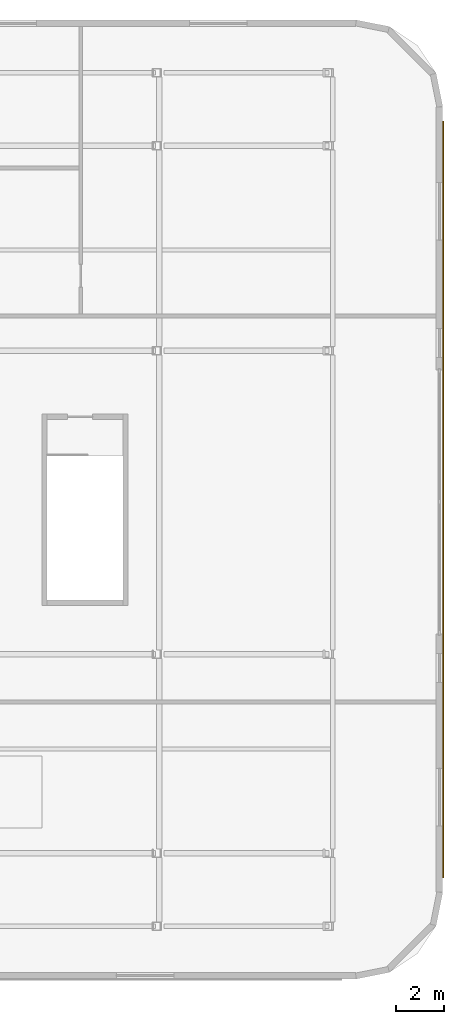
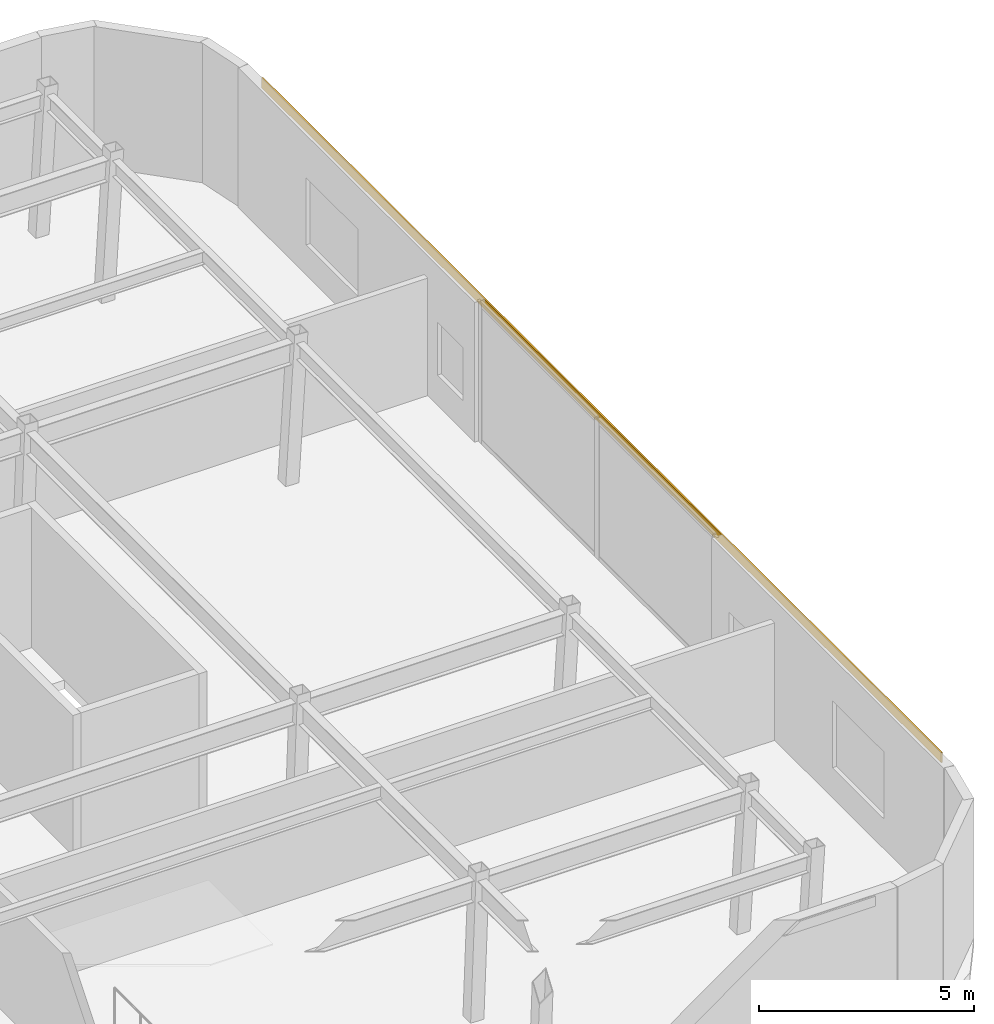
# One storey, part 11 of 11: 1 covering.
"""IFC4 building model written with IfcOpenShell, lengths in metres."""

import ifcopenshell
import ifcopenshell.guid

model = None  # the IFC model being written
_history = None  # IfcOwnerHistory: only IFC2X3 demands one
_inside = {}  # id of a spatial element -> (the spatial element, [elements in it])
_under = {}  # id of a project, library or spatial element -> (it, [spatial elements below it])
_declared = {}  # id of a project -> (the project, [libraries it declares])
_typed = {}  # id of a type object -> (the type object, [elements of that type])
_made_of = {}  # id of a material, layer set ... -> (it, [elements and type objects made of it])


def new_model(schema):
    """Start an empty IFC model of exactly this schema.

    Asked for "IFC4X3", IfcOpenShell would pick the latest addendum, in which some entities
    have other attributes; the version numbers below select the first issue.
    IFC2X3 requires an IfcOwnerHistory on every rooted entity: one is made here for all.
    """
    global model, _history
    if schema == "IFC4X3":
        model = ifcopenshell.file(schema_version=(4, 3, 0, 0))
    else:
        model = ifcopenshell.file(schema=schema)
    _inside.clear()
    _under.clear()
    _declared.clear()
    _typed.clear()
    _made_of.clear()
    _history = None
    if model.schema == "IFC2X3":
        org = make("IfcOrganization", Name="unknown")
        user = make(
            "IfcPersonAndOrganization",
            ThePerson=make("IfcPerson", FamilyName="unknown"),
            TheOrganization=org,
        )
        app = make(
            "IfcApplication",
            ApplicationDeveloper=org,
            Version="unknown",
            ApplicationFullName="unknown",
            ApplicationIdentifier="unknown",
        )
        _history = make(
            "IfcOwnerHistory",
            OwningUser=user,
            OwningApplication=app,
            ChangeAction="ADDED",
            CreationDate=0,
        )
    return model


def make(cls, **values):
    """One entity of the class cls with the attributes given. An attribute that is None is left unset."""
    return model.create_entity(
        cls, **{name: value for name, value in values.items() if value is not None}
    )


def rooted(cls, **values):
    """An entity with a GlobalId (a new one), such as an element, a storey or a relation."""
    return make(cls, GlobalId=ifcopenshell.guid.new(), OwnerHistory=_history, **values)


def si_unit(unit_type, name, prefix=None):
    """IfcSIUnit, for example si_unit("LENGTHUNIT", "METRE", prefix="MILLI")."""
    return make("IfcSIUnit", UnitType=unit_type, Prefix=prefix, Name=name)


def assignment(units):
    """IfcUnitAssignment: the units of a project."""
    return None if units is None else make("IfcUnitAssignment", Units=units)


def point(xyz):
    """IfcCartesianPoint."""
    return None if xyz is None else make("IfcCartesianPoint", Coordinates=xyz)


def direction(xyz):
    """IfcDirection."""
    return None if xyz is None else make("IfcDirection", DirectionRatios=xyz)


def frame(location, z_axis=None, x_axis=None):
    """IfcAxis2Placement3D, a coordinate frame: its origin and axes. An axis left out is left unset."""
    return make(
        "IfcAxis2Placement3D",
        Location=point(location),
        Axis=direction(z_axis),
        RefDirection=direction(x_axis),
    )


def frame_2d(location, x_axis=None):
    """IfcAxis2Placement2D, a coordinate frame in the plane: its origin and x axis."""
    return make(
        "IfcAxis2Placement2D", Location=point(location), RefDirection=direction(x_axis)
    )


def origin():
    """The frame at (0, 0, 0) with its axes left unset."""
    return frame((0.0, 0.0, 0.0))


def origin_2d():
    """The frame at (0, 0) in the plane with its x axis left unset."""
    return frame_2d((0.0, 0.0))


def place(relative_to, where):
    """IfcLocalPlacement: puts the frame where relative to a parent placement (None: the world)."""
    return make(
        "IfcLocalPlacement", PlacementRelTo=relative_to, RelativePlacement=where
    )


def context(
    kind, dimensions, precision=None, world=None, true_north=None, identifier=None
):
    """IfcGeometricRepresentationContext, for example the 3D "Model" context."""
    return make(
        "IfcGeometricRepresentationContext",
        ContextIdentifier=identifier,
        ContextType=kind,
        CoordinateSpaceDimension=dimensions,
        Precision=precision,
        WorldCoordinateSystem=world,
        TrueNorth=true_north,
    )


def subcontext(parent, identifier, kind, view, scale=None):
    """IfcGeometricRepresentationSubContext, for example "Body" below "Model"."""
    return make(
        "IfcGeometricRepresentationSubContext",
        ContextIdentifier=identifier,
        ContextType=kind,
        ParentContext=parent,
        TargetScale=scale,
        TargetView=view,
    )


def project(units=None, contexts=None):
    """IfcProject with its units and contexts."""
    return rooted(
        "IfcProject",
        Name="project",
        RepresentationContexts=contexts,
        UnitsInContext=assignment(units),
    )


def spatial(cls, under=None, at=None, **own):
    """A site, building, storey or space (cls), placed at a placement, below another one or the project."""
    s = rooted(cls, ObjectPlacement=at, **own)
    if under is not None:
        _under.setdefault(under.id(), (under, []))[1].append(s)
    return s


def profile(cls, at=None, kind="AREA", **sizes):
    """A parametric profile (cls). Its sizes go by their IFC names, for example OverallWidth=200.0."""
    return make(cls, ProfileType=kind, Position=at, **sizes)


def rectangle(**sizes):
    """IfcRectangleProfileDef."""
    return profile("IfcRectangleProfileDef", **sizes)


def extrude(swept, where, along, depth):
    """IfcExtrudedAreaSolid: the profile swept, set in the frame where, extruded along a direction by depth."""
    return make(
        "IfcExtrudedAreaSolid",
        SweptArea=swept,
        Position=where,
        ExtrudedDirection=direction(along),
        Depth=depth,
    )


def shape(context_of_items, identifier, shape_type, items):
    """IfcShapeRepresentation: the items that make up one representation, for example the "Body"."""
    return make(
        "IfcShapeRepresentation",
        ContextOfItems=context_of_items,
        RepresentationIdentifier=identifier,
        RepresentationType=shape_type,
        Items=items,
    )


def material(Name=None, Category=None):
    """IfcMaterial."""
    return make("IfcMaterial", Name=Name, Category=Category)


def layer(
    of_material, thickness, ventilated=None, Name=None, Category=None, Priority=None
):
    """IfcMaterialLayer: one layer of a wall or slab, of a material (None: an air gap)."""
    return make(
        "IfcMaterialLayer",
        Material=of_material,
        LayerThickness=thickness,
        IsVentilated=ventilated,
        Name=Name,
        Category=Category,
        Priority=Priority,
    )


def layer_set(layers, Name=None):
    """IfcMaterialLayerSet."""
    return make("IfcMaterialLayerSet", MaterialLayers=layers, LayerSetName=Name)


def made_of(thing, what):
    """Note that an element or type object is made of a material, layer set ...; save() writes the relation."""
    if what is not None:
        _made_of.setdefault(what.id(), (what, []))[1].append(thing)
    return thing


def type_object(cls, material=None, **own):
    """A type object (cls), such as IfcWallType, which elements share."""
    return made_of(rooted(cls, **own), material)


def element(
    cls,
    number,
    at=None,
    inside=None,
    cuts=None,
    type_object=None,
    material=None,
    context=None,
    identifier="Body",
    shape_type=None,
    held_by="IfcProductDefinitionShape",
    body=None,
    shapes=None,
    **own,
):
    """One element of the class cls, such as IfcWall. Its Tag is "e" and its number.

    at: its placement. inside: the storey or other place that contains it. cuts: it is an
    opening in that element (IfcRelVoidsElement). A single representation is given by context,
    identifier, shape_type and body (its items); several are given by shapes. held_by: the class
    of the entity that holds the representations. save() writes the other relations.
    """
    e = rooted(cls, Tag="e%d" % number, ObjectPlacement=at, **own)
    if body is not None:
        shapes = [shape(context, identifier, shape_type, body)]
    if shapes is not None:
        e.Representation = make(held_by, Representations=shapes)
    if inside is not None:
        _inside.setdefault(inside.id(), (inside, []))[1].append(e)
    if cuts is not None:
        rooted(
            "IfcRelVoidsElement", RelatingBuildingElement=cuts, RelatedOpeningElement=e
        )
    if type_object is not None:
        _typed.setdefault(type_object.id(), (type_object, []))[1].append(e)
    return made_of(e, material)


def aggregate(whole, parts):
    """IfcRelAggregates: a whole, such as a stair, and the parts it consists of."""
    return rooted("IfcRelAggregates", RelatingObject=whole, RelatedObjects=parts)


def save(model, path):
    """Write the relations noted so far, then the file.

    IfcRelAggregates (storeys below a building ...), IfcRelContainedInSpatialStructure (elements
    in a storey), IfcRelDefinesByType, IfcRelAssociatesMaterial and IfcRelDeclares: one each for
    every whole, place, type object, material and project.
    """
    for whole, parts in _under.values():
        aggregate(whole, parts)
    for where, things in _inside.values():
        rooted(
            "IfcRelContainedInSpatialStructure",
            RelatedElements=things,
            RelatingStructure=where,
        )
    for kind, things in _typed.values():
        rooted("IfcRelDefinesByType", RelatedObjects=things, RelatingType=kind)
    for what, things in _made_of.values():
        rooted("IfcRelAssociatesMaterial", RelatedObjects=things, RelatingMaterial=what)
    for by, libraries in _declared.values():
        rooted("IfcRelDeclares", RelatingContext=by, RelatedDefinitions=libraries)
    model.write(path)


model = new_model("IFC4")

# Units and contexts
model_context = context("Model", 3, precision=1e-05, world=origin(), true_north=direction((0.0, 1.0)))
body_context = subcontext(model_context, "Body", "Model", "MODEL_VIEW")
ifc_project = project(units=[si_unit("LENGTHUNIT", "METRE"), si_unit("AREAUNIT", "SQUARE_METRE"), si_unit("VOLUMEUNIT", "CUBIC_METRE"), si_unit("PLANEANGLEUNIT", "RADIAN"), si_unit("MASSUNIT", "GRAM", prefix="KILO")], contexts=[model_context])

# Site, building, storey
site_placement = place(None, origin())
site = spatial("IfcSite", under=ifc_project, at=site_placement, CompositionType="ELEMENT")
building_placement = place(site_placement, origin())
building = spatial("IfcBuilding", under=site, at=building_placement, Name="Ochreholt Gables", CompositionType="ELEMENT")
storey_placement = place(building_placement, frame((0.0, 0.0, 192.0)))
storey = spatial("IfcBuildingStorey", under=building, at=storey_placement, Name="L50", CompositionType="ELEMENT", Elevation=192.0)

# Covering
ifc_material = material(Name="Glazed Ochre Terracotta Rainscreen Cladding", Category="masonry")
ifc_layer = layer(ifc_material, 0.044921875, Name="Glazed Ochre Terracotta Rainscreen Cladding")
ifc_layer_set = layer_set([ifc_layer], Name="Glazed Ochre Terracotta Rainscreen Cladding")
covering_type = type_object("IfcCoveringType", Name="COV-CLAD-TC", PredefinedType="CLADDING", material=ifc_layer_set)
covering_placement = place(storey_placement, frame((58.6201171875, 24.0, 3.66015625), z_axis=(0.0, 0.0, 1.0), x_axis=(0.0, 1.0, 0.0)))
element("IfcCovering", 1, at=covering_placement, inside=storey, type_object=covering_type, Name="L50 Terracotta Spandrel Cladding East", PredefinedType="CLADDING", context=body_context, shape_type="SweptSolid", body=[
    extrude(rectangle(XDim=31.56005859375, YDim=0.044921875, at=origin_2d()), origin(), (0.0, 0.0, 1.0), 0.280029296875),
])

save(model, "model.ifc")
